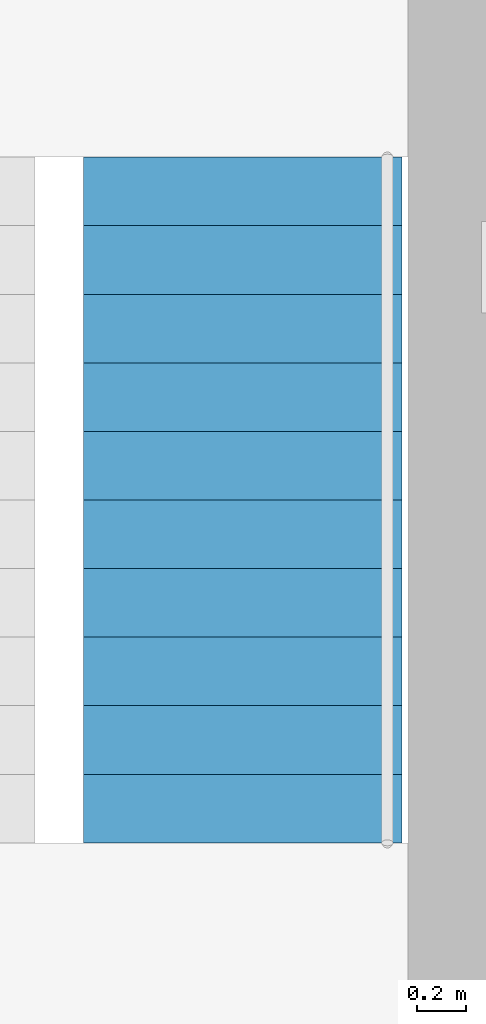
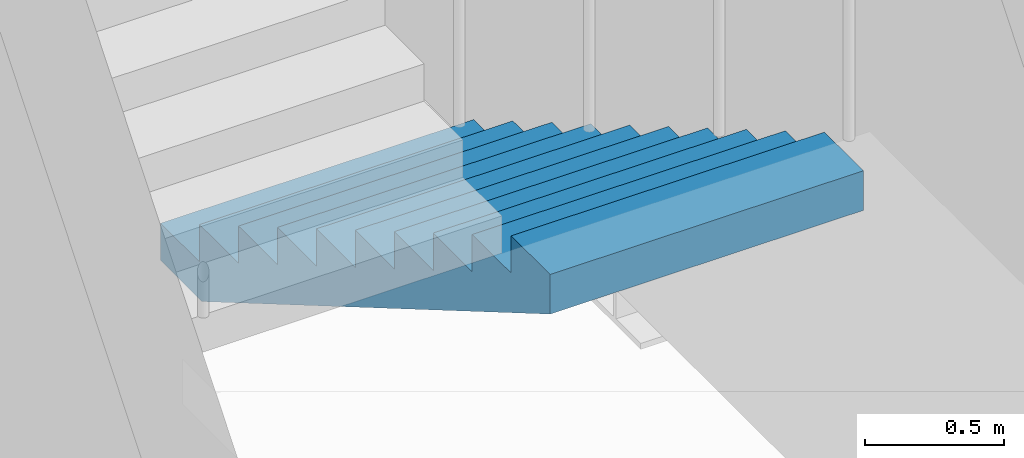
# One storey, part 9 of 12: 1 stair flight, 1 element without a shape of its own.
"""IFC4 building model written with IfcOpenShell, lengths in metres."""

from ifc_helpers import new_model, si_unit, direction, frame, origin, place, context, subcontext, project, spatial, polyline, outline, extrude, material, type_object, element, aggregate, save


model = new_model("IFC4")

# Units and contexts
model_context = context("Model", 3, precision=1e-05, world=origin(), true_north=direction((0.0, 1.0)))
body_context = subcontext(model_context, "Body", "Model", "MODEL_VIEW")
ifc_project = project(units=[si_unit("LENGTHUNIT", "METRE"), si_unit("AREAUNIT", "SQUARE_METRE"), si_unit("VOLUMEUNIT", "CUBIC_METRE"), si_unit("PLANEANGLEUNIT", "RADIAN"), si_unit("MASSUNIT", "GRAM", prefix="KILO")], contexts=[model_context])

# Site, building, storey
site_placement = place(None, origin())
site = spatial("IfcSite", under=ifc_project, at=site_placement, CompositionType="ELEMENT")
building_placement = place(site_placement, origin())
building = spatial("IfcBuilding", under=site, at=building_placement, Name="Loomwork Tower", CompositionType="ELEMENT")
storey_placement = place(building_placement, frame((0.0, 0.0, 230.199951171875)))
storey = spatial("IfcBuildingStorey", under=building, at=storey_placement, Name="L63", CompositionType="ELEMENT", Elevation=230.199951171875)

# Stair, stair flight
ifc_material_1 = material(Name="Concrete 5000 psi (34 MPa) precast stair", Category="concrete")
stair_type = type_object("IfcStairType", Name="Stair ST-B 22 risers 2850 wide", PredefinedType="HALF_TURN_STAIR", material=ifc_material_1)
stair_placement = place(storey_placement, origin())
stair = element("IfcStair", 1, at=stair_placement, inside=storey, type_object=stair_type, Name="Stair B L63", PredefinedType="HALF_TURN_STAIR")
ifc_material_2 = material(Name="Concrete 5000 psi (34 MPa) precast stair", Category="concrete")
stair_flight_type = type_object("IfcStairFlightType", Name="Stair flight ST-B 11 risers 1300 wide", PredefinedType="STRAIGHT", material=ifc_material_2)
stair_flight_placement = place(storey_placement, frame((32.925048828125, 18.449951171875, 0.0), z_axis=(0.0, 0.0, 1.0), x_axis=(0.0, -1.0, 0.0)))
stair_flight = element("IfcStairFlight", 2, at=stair_flight_placement, type_object=stair_flight_type, Name="ST-B flight 1", NumberOfRisers=11, NumberOfTreads=10, PredefinedType="STRAIGHT", RiserHeight=0.163636364, TreadLength=0.28, context=body_context, shape_type="SweptSolid", body=[
    extrude(outline(polyline([(0.0, 0.0), (0.0, 0.16357421875), (0.280029296875, 0.16357421875), (0.280029296875, 0.327392578125), (0.56005859375, 0.327392578125), (0.56005859375, 0.490966796875), (0.840087890625, 0.490966796875), (0.840087890625, 0.654541015625), (1.1201171875, 0.654541015625), (1.1201171875, 0.818115234375), (1.39990234375, 0.818115234375), (1.39990234375, 0.98193359375), (1.679931640625, 0.98193359375), (1.679931640625, 1.1455078125), (1.9599609375, 1.1455078125), (1.9599609375, 1.30908203125), (2.239990234375, 1.30908203125), (2.239990234375, 1.47265625), (2.52001953125, 1.47265625), (2.52001953125, 1.636474609375), (2.800048828125, 1.636474609375), (2.800048828125, 1.800048828125), (2.800048828125, 1.462646484375), (0.297119140625, 0.0), (0.0, 0.0)])), frame((0.0, 0.64990234375, 0.0), z_axis=(0.0, -1.0, 0.0), x_axis=(1.0, 0.0, 0.0)), (0.0, 0.0, 1.0), 1.300048828125),
])
aggregate(stair, [stair_flight])

save(model, "model.ifc")
